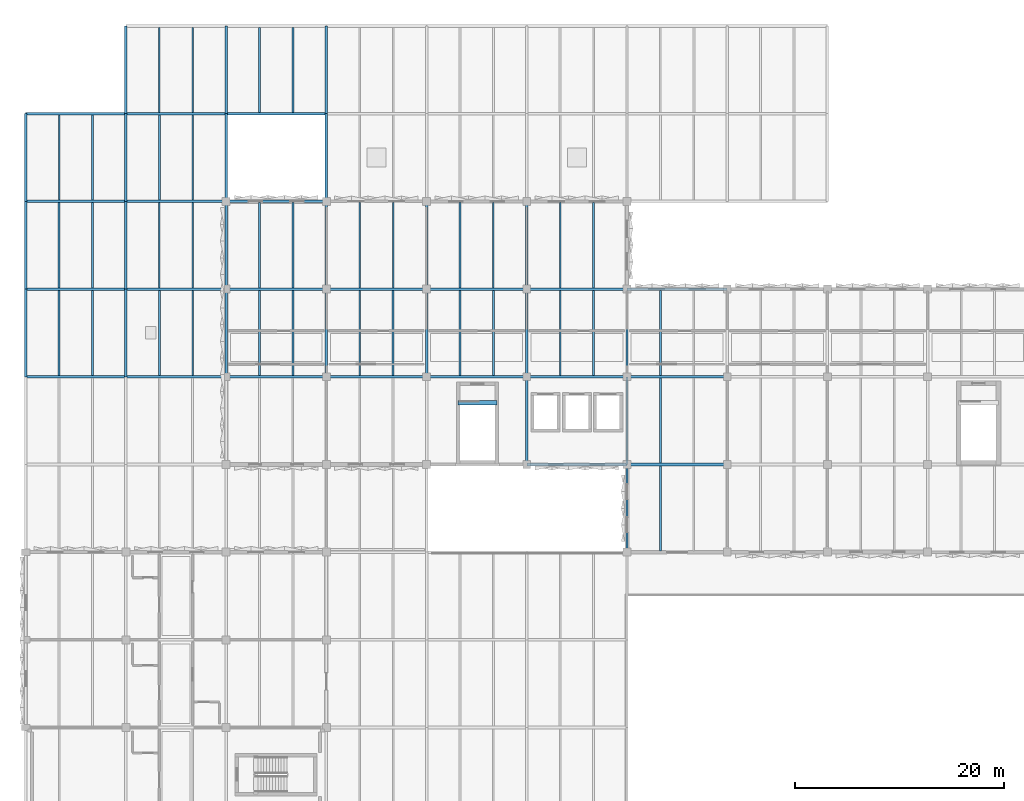
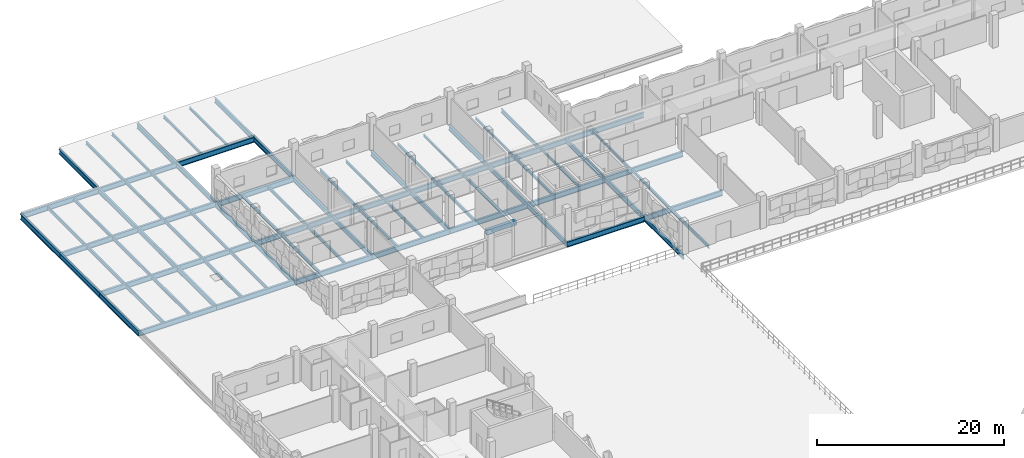
# One storey, part 12 of 86: 81 beams.
"""IFC4 building model written with IfcOpenShell, lengths in metres."""

from ifc_helpers import new_model, si_unit, direction, frame, origin, origin_2d, place, context, subcontext, project, spatial, rectangle, i_section, extrude, material, material_profile, profile_set, type_object, element, save


model = new_model("IFC4")

# Units and contexts
model_context = context("Model", 3, precision=1e-05, world=origin(), true_north=direction((0.0, 1.0)))
body_context = subcontext(model_context, "Body", "Model", "MODEL_VIEW")
ifc_project = project(units=[si_unit("LENGTHUNIT", "METRE"), si_unit("AREAUNIT", "SQUARE_METRE"), si_unit("VOLUMEUNIT", "CUBIC_METRE"), si_unit("PLANEANGLEUNIT", "RADIAN"), si_unit("MASSUNIT", "GRAM", prefix="KILO")], contexts=[model_context])

# Site, building, storey
site_placement = place(None, origin())
site = spatial("IfcSite", under=ifc_project, at=site_placement, CompositionType="ELEMENT")
building_placement = place(site_placement, origin())
building = spatial("IfcBuilding", under=site, at=building_placement, Name="Oolite Switchyard Hospital", CompositionType="ELEMENT")
storey_placement = place(building_placement, frame((0.0, 0.0, 13.5)))
storey = spatial("IfcBuildingStorey", under=building, at=storey_placement, Name="L03", CompositionType="ELEMENT", Elevation=13.5)

# Beams
ifc_material_1 = material(Name="Concrete C40/50", Category="concrete")
ifc_material_profile_1 = material_profile(ifc_material_1, rectangle(XDim=0.39990234375, YDim=0.60009765625, at=origin_2d()), Name="RCB400X600")
ifc_profile_set_1 = profile_set([ifc_material_profile_1], Name="Concrete C40/50")
beam_type_1 = type_object("IfcBeamType", Name="BM-RC400X600", PredefinedType="BEAM", material=ifc_profile_set_1)
beam_1_placement = place(storey_placement, frame((41.425048828125, 98.31005859375, -0.300048828125), z_axis=(1.0, 0.0, 0.0), x_axis=(0.0, 1.0, 0.0)))
element("IfcBeam", 1, at=beam_1_placement, inside=storey, type_object=beam_type_1, Name="L03 ST-07 Stair Throat Trimmer Beam", PredefinedType="BEAM", context=body_context, shape_type="SweptSolid", body=[
    extrude(rectangle(XDim=0.39990234375, YDim=0.60009765625, at=origin_2d()), origin(), (0.0, 0.0, 1.0), 3.7099609375),
])
ifc_material_2 = material(Name="Steel ASTM A992 Grade 50", Category="steel")
ifc_material_profile_2 = material_profile(ifc_material_2, i_section(OverallWidth=0.1650390625, OverallDepth=0.31005859375, WebThickness=0.006103515625, FlangeThickness=0.010009765625, at=origin_2d()), Name="W12X26")
ifc_profile_set_2 = profile_set([ifc_material_profile_2], Name="Steel ASTM A992 Grade 50")
beam_type_2 = type_object("IfcBeamType", Name="BM-W12X26", PredefinedType="JOIST", material=ifc_profile_set_2)
beam_2_placement = place(storey_placement, frame((25.60009765625, 126.126953125, -0.375), z_axis=(0.0, 1.0, 0.0), x_axis=(-1.0, 0.0, 0.0)))
element("IfcBeam", 2, at=beam_2_placement, inside=storey, type_object=beam_type_2, Name="L03 Secondary Steel Joist 2455", PredefinedType="JOIST", context=body_context, shape_type="SweptSolid", body=[
    extrude(i_section(OverallWidth=0.1650390625, OverallDepth=0.31005859375, WebThickness=0.006103515625, FlangeThickness=0.010009765625, at=origin_2d()), origin(), (0.0, 0.0, 1.0), 8.14013671875),
])
for number, where, z_axis, x_axis, name in (
    (3, (44.800048828125, 109.326904296875, -0.47509765625), (0.0, 1.0, 0.0), (-1.0, 0.0, 0.0), "L03 Secondary Steel Joist 2495"),
    (4, (54.39990234375, 100.927001953125, -0.47509765625), (0.0, 1.0, 0.0), (-1.0, 0.0, 0.0), "L03 Secondary Steel Joist 2511"),
    (5, (51.199951171875, 109.326904296875, -0.47509765625), (0.0, 1.0, 0.0), (-1.0, 0.0, 0.0), "L03 Secondary Steel Joist 2512"),
    (6, (60.800048828125, 100.927001953125, -0.429931640625), (0.0, 1.0, 0.0), (-1.0, 0.0, 0.0), "L03 Secondary Steel Joist 2522"),
):
    element("IfcBeam", number, at=place(storey_placement, frame(where, z_axis=z_axis, x_axis=x_axis)), inside=storey, type_object=beam_type_2, Name=name, PredefinedType="JOIST", context=body_context, shape_type="SweptSolid", body=[
        extrude(i_section(OverallWidth=0.1650390625, OverallDepth=0.31005859375, WebThickness=0.006103515625, FlangeThickness=0.010009765625, at=origin_2d()), origin(), (0.0, 0.0, 1.0), 8.14599609375),
    ])
ifc_material_profile_3 = material_profile(ifc_material_2, i_section(OverallWidth=0.1708984375, OverallDepth=0.35107421875, WebThickness=0.007080078125, FlangeThickness=0.010009765625, at=origin_2d()), Name="W14X30")
ifc_profile_set_3 = profile_set([ifc_material_profile_3], Name="Steel ASTM A992 Grade 50")
beam_type_3 = type_object("IfcBeamType", Name="BM-W14X30", PredefinedType="JOIST", material=ifc_profile_set_3)
for number, where, z_axis, x_axis, name in (
    (7, (16.0, 126.126953125, -0.39599609375), (0.0, 1.0, 0.0), (-1.0, 0.0, 0.0), "L03 Secondary Steel Joist 2437"),
    (8, (22.39990234375, 126.126953125, -0.39599609375), (0.0, 1.0, 0.0), (-1.0, 0.0, 0.0), "L03 Secondary Steel Joist 2454"),
):
    element("IfcBeam", number, at=place(storey_placement, frame(where, z_axis=z_axis, x_axis=x_axis)), inside=storey, type_object=beam_type_3, Name=name, PredefinedType="JOIST", context=body_context, shape_type="SweptSolid", body=[
        extrude(i_section(OverallWidth=0.1708984375, OverallDepth=0.35107421875, WebThickness=0.007080078125, FlangeThickness=0.010009765625, at=origin_2d()), origin(), (0.0, 0.0, 1.0), 8.14013671875),
    ])
for number, where, z_axis, x_axis, name in (
    (9, (35.199951171875, 109.326904296875, -0.49609375), (0.0, 1.0, 0.0), (-1.0, 0.0, 0.0), "L03 Secondary Steel Joist 2475"),
    (10, (44.800048828125, 100.927001953125, -0.49609375), (0.0, 1.0, 0.0), (-1.0, 0.0, 0.0), "L03 Secondary Steel Joist 2493"),
    (11, (41.60009765625, 109.326904296875, -0.49609375), (0.0, 1.0, 0.0), (-1.0, 0.0, 0.0), "L03 Secondary Steel Joist 2494"),
    (12, (51.199951171875, 100.927001953125, -0.49609375), (0.0, 1.0, 0.0), (-1.0, 0.0, 0.0), "L03 Secondary Steel Joist 2510"),
    (13, (60.800048828125, 92.527099609375, -0.449951171875), (0.0, 1.0, 0.0), (-1.0, 0.0, 0.0), "L03 Secondary Steel Joist 2520"),
):
    element("IfcBeam", number, at=place(storey_placement, frame(where, z_axis=z_axis, x_axis=x_axis)), inside=storey, type_object=beam_type_3, Name=name, PredefinedType="JOIST", context=body_context, shape_type="SweptSolid", body=[
        extrude(i_section(OverallWidth=0.1708984375, OverallDepth=0.35107421875, WebThickness=0.007080078125, FlangeThickness=0.010009765625, at=origin_2d()), origin(), (0.0, 0.0, 1.0), 8.14599609375),
    ])
ifc_material_profile_4 = material_profile(ifc_material_2, i_section(OverallWidth=0.177978515625, OverallDepth=0.403076171875, WebThickness=0.008056640625, FlangeThickness=0.010986328125, at=origin_2d()), Name="W16X36")
ifc_profile_set_4 = profile_set([ifc_material_profile_4], Name="Steel ASTM A992 Grade 50")
beam_type_4 = type_object("IfcBeamType", Name="BM-W16X36", PredefinedType="JOIST", material=ifc_profile_set_4)
beam_3_placement = place(storey_placement, frame((16.0, 117.72705078125, -0.422119140625), z_axis=(0.0, 1.0, 0.0), x_axis=(-1.0, 0.0, 0.0)))
element("IfcBeam", 14, at=beam_3_placement, inside=storey, type_object=beam_type_4, Name="L03 Secondary Steel Joist 2435", PredefinedType="JOIST", context=body_context, shape_type="SweptSolid", body=[
    extrude(i_section(OverallWidth=0.177978515625, OverallDepth=0.403076171875, WebThickness=0.008056640625, FlangeThickness=0.010986328125, at=origin_2d()), origin(), (0.0, 0.0, 1.0), 8.14599609375),
])
beam_4_placement = place(storey_placement, frame((12.800048828125, 126.126953125, -0.422119140625), z_axis=(0.0, 1.0, 0.0), x_axis=(-1.0, 0.0, 0.0)))
element("IfcBeam", 15, at=beam_4_placement, inside=storey, type_object=beam_type_4, Name="L03 Secondary Steel Joist 2436", PredefinedType="JOIST", context=body_context, shape_type="SweptSolid", body=[
    extrude(i_section(OverallWidth=0.177978515625, OverallDepth=0.403076171875, WebThickness=0.008056640625, FlangeThickness=0.010986328125, at=origin_2d()), origin(), (0.0, 0.0, 1.0), 8.14013671875),
])
for number, where, z_axis, x_axis, name in (
    (16, (25.60009765625, 109.326904296875, -0.52197265625), (0.0, 1.0, 0.0), (-1.0, 0.0, 0.0), "L03 Secondary Steel Joist 2453"),
    (17, (35.199951171875, 100.927001953125, -0.52197265625), (0.0, 1.0, 0.0), (-1.0, 0.0, 0.0), "L03 Secondary Steel Joist 2473"),
    (18, (32.0, 109.326904296875, -0.52197265625), (0.0, 1.0, 0.0), (-1.0, 0.0, 0.0), "L03 Secondary Steel Joist 2474"),
    (19, (41.60009765625, 100.927001953125, -0.52197265625), (0.0, 1.0, 0.0), (-1.0, 0.0, 0.0), "L03 Secondary Steel Joist 2492"),
    (20, (60.800048828125, 84.126953125, -0.47607421875), (0.0, 1.0, 0.0), (-1.0, 0.0, 0.0), "L03 Secondary Steel Joist 2518"),
):
    element("IfcBeam", number, at=place(storey_placement, frame(where, z_axis=z_axis, x_axis=x_axis)), inside=storey, type_object=beam_type_4, Name=name, PredefinedType="JOIST", context=body_context, shape_type="SweptSolid", body=[
        extrude(i_section(OverallWidth=0.177978515625, OverallDepth=0.403076171875, WebThickness=0.008056640625, FlangeThickness=0.010986328125, at=origin_2d()), origin(), (0.0, 0.0, 1.0), 8.14599609375),
    ])
ifc_material_profile_5 = material_profile(ifc_material_2, i_section(OverallWidth=0.179931640625, OverallDepth=0.4130859375, WebThickness=0.010009765625, FlangeThickness=0.01611328125, at=origin_2d()), Name="W16X50")
ifc_profile_set_5 = profile_set([ifc_material_profile_5], Name="Steel ASTM A992 Grade 50")
beam_type_5 = type_object("IfcBeamType", Name="BM-W16X50", PredefinedType="JOIST", material=ifc_profile_set_5)
for number, where, z_axis, x_axis, name in (
    (21, (6.39990234375, 117.72705078125, -0.426025390625), (0.0, 1.0, 0.0), (-1.0, 0.0, 0.0), "L03 Secondary Steel Joist 2413"),
    (22, (16.0, 109.326904296875, -0.426025390625), (0.0, 1.0, 0.0), (-1.0, 0.0, 0.0), "L03 Secondary Steel Joist 2433"),
    (23, (12.800048828125, 117.72705078125, -0.426025390625), (0.0, 1.0, 0.0), (-1.0, 0.0, 0.0), "L03 Secondary Steel Joist 2434"),
    (24, (25.60009765625, 100.927001953125, -0.52587890625), (0.0, 1.0, 0.0), (-1.0, 0.0, 0.0), "L03 Secondary Steel Joist 2451"),
    (25, (22.39990234375, 109.326904296875, -0.52587890625), (0.0, 1.0, 0.0), (-1.0, 0.0, 0.0), "L03 Secondary Steel Joist 2452"),
    (26, (32.0, 100.927001953125, -0.52587890625), (0.0, 1.0, 0.0), (-1.0, 0.0, 0.0), "L03 Secondary Steel Joist 2472"),
):
    element("IfcBeam", number, at=place(storey_placement, frame(where, z_axis=z_axis, x_axis=x_axis)), inside=storey, type_object=beam_type_5, Name=name, PredefinedType="JOIST", context=body_context, shape_type="SweptSolid", body=[
        extrude(i_section(OverallWidth=0.179931640625, OverallDepth=0.4130859375, WebThickness=0.010009765625, FlangeThickness=0.01611328125, at=origin_2d()), origin(), (0.0, 0.0, 1.0), 8.14599609375),
    ])
ifc_material_profile_6 = material_profile(ifc_material_2, i_section(OverallWidth=0.153076171875, OverallDepth=0.455078125, WebThickness=0.008056640625, FlangeThickness=0.012939453125, at=origin_2d()), Name="W18X40")
ifc_profile_set_6 = profile_set([ifc_material_profile_6], Name="Steel ASTM A992 Grade 50")
beam_type_6 = type_object("IfcBeamType", Name="BM-W18X40", PredefinedType="JOIST", material=ifc_profile_set_6)
for number, where, z_axis, x_axis, name in (
    (27, (6.39990234375, 109.326904296875, -0.447998046875), (0.0, 1.0, 0.0), (-1.0, 0.0, 0.0), "L03 Secondary Steel Joist 2411"),
    (28, (3.199951171875, 117.72705078125, -0.447998046875), (0.0, 1.0, 0.0), (-1.0, 0.0, 0.0), "L03 Secondary Steel Joist 2412"),
    (29, (16.0, 100.927001953125, -0.447998046875), (0.0, 1.0, 0.0), (-1.0, 0.0, 0.0), "L03 Secondary Steel Joist 2431"),
    (30, (12.800048828125, 109.326904296875, -0.447998046875), (0.0, 1.0, 0.0), (-1.0, 0.0, 0.0), "L03 Secondary Steel Joist 2432"),
    (31, (22.39990234375, 100.927001953125, -0.548095703125), (0.0, 1.0, 0.0), (-1.0, 0.0, 0.0), "L03 Secondary Steel Joist 2450"),
):
    element("IfcBeam", number, at=place(storey_placement, frame(where, z_axis=z_axis, x_axis=x_axis)), inside=storey, type_object=beam_type_6, Name=name, PredefinedType="JOIST", context=body_context, shape_type="SweptSolid", body=[
        extrude(i_section(OverallWidth=0.153076171875, OverallDepth=0.455078125, WebThickness=0.008056640625, FlangeThickness=0.012939453125, at=origin_2d()), origin(), (0.0, 0.0, 1.0), 8.14599609375),
    ])
ifc_material_profile_7 = material_profile(ifc_material_2, i_section(OverallWidth=0.19091796875, OverallDepth=0.4599609375, WebThickness=0.010009765625, FlangeThickness=0.01611328125, at=origin_2d()), Name="W18X55")
ifc_profile_set_7 = profile_set([ifc_material_profile_7], Name="Steel ASTM A992 Grade 50")
beam_type_7 = type_object("IfcBeamType", Name="BM-W18X55", PredefinedType="JOIST", material=ifc_profile_set_7)
for number, where, z_axis, x_axis, name in (
    (32, (6.39990234375, 100.927001953125, -0.449951171875), (0.0, 1.0, 0.0), (-1.0, 0.0, 0.0), "L03 Secondary Steel Joist 2409"),
    (33, (3.199951171875, 109.326904296875, -0.449951171875), (0.0, 1.0, 0.0), (-1.0, 0.0, 0.0), "L03 Secondary Steel Joist 2410"),
    (34, (12.800048828125, 100.927001953125, -0.449951171875), (0.0, 1.0, 0.0), (-1.0, 0.0, 0.0), "L03 Secondary Steel Joist 2430"),
):
    element("IfcBeam", number, at=place(storey_placement, frame(where, z_axis=z_axis, x_axis=x_axis)), inside=storey, type_object=beam_type_7, Name=name, PredefinedType="JOIST", context=body_context, shape_type="SweptSolid", body=[
        extrude(i_section(OverallWidth=0.19091796875, OverallDepth=0.4599609375, WebThickness=0.010009765625, FlangeThickness=0.01611328125, at=origin_2d()), origin(), (0.0, 0.0, 1.0), 8.14599609375),
    ])
ifc_material_profile_8 = material_profile(ifc_material_2, i_section(OverallWidth=0.166015625, OverallDepth=0.529052734375, WebThickness=0.010009765625, FlangeThickness=0.013916015625, at=origin_2d()), Name="W21X50")
ifc_profile_set_8 = profile_set([ifc_material_profile_8], Name="Steel ASTM A992 Grade 50")
beam_type_8 = type_object("IfcBeamType", Name="BM-W21X50", PredefinedType="JOIST", material=ifc_profile_set_8)
for number, where, z_axis, x_axis, name in (
    (35, (3.199951171875, 100.927001953125, -0.48388671875), (0.0, 1.0, 0.0), (-1.0, 0.0, 0.0), "L03 Secondary Steel Joist 2408"),
    (36, (54.39990234375, 109.326904296875, -0.583984375), (0.0, 1.0, 0.0), (-1.0, 0.0, 0.0), "L03 Secondary Steel Joist 2513"),
):
    element("IfcBeam", number, at=place(storey_placement, frame(where, z_axis=z_axis, x_axis=x_axis)), inside=storey, type_object=beam_type_8, Name=name, PredefinedType="JOIST", context=body_context, shape_type="SweptSolid", body=[
        extrude(i_section(OverallWidth=0.166015625, OverallDepth=0.529052734375, WebThickness=0.010009765625, FlangeThickness=0.013916015625, at=origin_2d()), origin(), (0.0, 0.0, 1.0), 8.14599609375),
    ])
ifc_material_profile_9 = material_profile(ifc_material_2, i_section(OverallWidth=0.22900390625, OverallDepth=0.612060546875, WebThickness=0.011962890625, FlangeThickness=0.02001953125, at=origin_2d()), Name="W24X84")
ifc_profile_set_9 = profile_set([ifc_material_profile_9], Name="Steel ASTM A992 Grade 50")
beam_type_9 = type_object("IfcBeamType", Name="BM-W24X84", PredefinedType="BEAM", material=ifc_profile_set_9)
beam_5_placement = place(storey_placement, frame((9.60009765625, 100.800048828125, -0.52587890625), z_axis=(0.0, 1.0, 0.0), x_axis=(-1.0, 0.0, 0.0)))
element("IfcBeam", 37, at=beam_5_placement, inside=storey, type_object=beam_type_9, Name="L03 Y-Girder 2183", PredefinedType="BEAM", context=body_context, shape_type="SweptSolid", body=[
    extrude(i_section(OverallWidth=0.22900390625, OverallDepth=0.612060546875, WebThickness=0.011962890625, FlangeThickness=0.02001953125, at=origin_2d()), origin(), (0.0, 0.0, 1.0), 8.39990234375),
])
beam_6_placement = place(storey_placement, frame((9.60009765625, 109.199951171875, -0.52587890625), z_axis=(0.0, 1.0, 0.0), x_axis=(-1.0, 0.0, 0.0)))
element("IfcBeam", 38, at=beam_6_placement, inside=storey, type_object=beam_type_9, Name="L03 Y-Girder 2184", PredefinedType="BEAM", context=body_context, shape_type="SweptSolid", body=[
    extrude(i_section(OverallWidth=0.22900390625, OverallDepth=0.612060546875, WebThickness=0.011962890625, FlangeThickness=0.02001953125, at=origin_2d()), origin(), (0.0, 0.0, 1.0), 8.400146484375),
])
for number, where, z_axis, x_axis, name in (
    (39, (9.60009765625, 117.60009765625, -0.52587890625), (0.0, 1.0, 0.0), (-1.0, 0.0, 0.0), "L03 Y-Girder 2185"),
    (40, (9.60009765625, 126.0, -0.52587890625), (0.0, 1.0, 0.0), (-1.0, 0.0, 0.0), "L03 Y-Girder 2186"),
    (41, (19.199951171875, 100.800048828125, -0.6259765625), (0.0, 1.0, 0.0), (-1.0, 0.0, 0.0), "L03 Y-Girder 2195"),
):
    element("IfcBeam", number, at=place(storey_placement, frame(where, z_axis=z_axis, x_axis=x_axis)), inside=storey, type_object=beam_type_9, Name=name, PredefinedType="BEAM", context=body_context, shape_type="SweptSolid", body=[
        extrude(i_section(OverallWidth=0.22900390625, OverallDepth=0.612060546875, WebThickness=0.011962890625, FlangeThickness=0.02001953125, at=origin_2d()), origin(), (0.0, 0.0, 1.0), 8.39990234375),
    ])
beam_7_placement = place(storey_placement, frame((19.199951171875, 109.199951171875, -0.6259765625), z_axis=(0.0, 1.0, 0.0), x_axis=(-1.0, 0.0, 0.0)))
element("IfcBeam", 42, at=beam_7_placement, inside=storey, type_object=beam_type_9, Name="L03 Y-Girder 2196", PredefinedType="BEAM", context=body_context, shape_type="SweptSolid", body=[
    extrude(i_section(OverallWidth=0.22900390625, OverallDepth=0.612060546875, WebThickness=0.011962890625, FlangeThickness=0.02001953125, at=origin_2d()), origin(), (0.0, 0.0, 1.0), 8.400146484375),
])
for number, where, z_axis, x_axis, name in (
    (43, (19.199951171875, 117.60009765625, -0.52587890625), (0.0, 1.0, 0.0), (-1.0, 0.0, 0.0), "L03 Y-Girder 2197"),
    (44, (19.199951171875, 126.0, -0.52587890625), (0.0, 1.0, 0.0), (-1.0, 0.0, 0.0), "L03 Y-Girder 2198"),
    (45, (28.800048828125, 100.800048828125, -0.6259765625), (0.0, 1.0, 0.0), (-1.0, 0.0, 0.0), "L03 Y-Girder 2207"),
):
    element("IfcBeam", number, at=place(storey_placement, frame(where, z_axis=z_axis, x_axis=x_axis)), inside=storey, type_object=beam_type_9, Name=name, PredefinedType="BEAM", context=body_context, shape_type="SweptSolid", body=[
        extrude(i_section(OverallWidth=0.22900390625, OverallDepth=0.612060546875, WebThickness=0.011962890625, FlangeThickness=0.02001953125, at=origin_2d()), origin(), (0.0, 0.0, 1.0), 8.39990234375),
    ])
beam_8_placement = place(storey_placement, frame((28.800048828125, 109.199951171875, -0.6259765625), z_axis=(0.0, 1.0, 0.0), x_axis=(-1.0, 0.0, 0.0)))
element("IfcBeam", 46, at=beam_8_placement, inside=storey, type_object=beam_type_9, Name="L03 Y-Girder 2208", PredefinedType="BEAM", context=body_context, shape_type="SweptSolid", body=[
    extrude(i_section(OverallWidth=0.22900390625, OverallDepth=0.612060546875, WebThickness=0.011962890625, FlangeThickness=0.02001953125, at=origin_2d()), origin(), (0.0, 0.0, 1.0), 8.400146484375),
])
for number, where, z_axis, x_axis, name in (
    (47, (28.800048828125, 117.60009765625, -0.52587890625), (0.0, 1.0, 0.0), (-1.0, 0.0, 0.0), "L03 Y-Girder 2209"),
    (48, (28.800048828125, 126.0, -0.52587890625), (0.0, 1.0, 0.0), (-1.0, 0.0, 0.0), "L03 Y-Girder 2210"),
    (49, (38.39990234375, 100.800048828125, -0.6259765625), (0.0, 1.0, 0.0), (-1.0, 0.0, 0.0), "L03 Y-Girder 2219"),
):
    element("IfcBeam", number, at=place(storey_placement, frame(where, z_axis=z_axis, x_axis=x_axis)), inside=storey, type_object=beam_type_9, Name=name, PredefinedType="BEAM", context=body_context, shape_type="SweptSolid", body=[
        extrude(i_section(OverallWidth=0.22900390625, OverallDepth=0.612060546875, WebThickness=0.011962890625, FlangeThickness=0.02001953125, at=origin_2d()), origin(), (0.0, 0.0, 1.0), 8.39990234375),
    ])
for number, where, z_axis, x_axis, name in (
    (50, (38.39990234375, 109.199951171875, -0.6259765625), (0.0, 1.0, 0.0), (-1.0, 0.0, 0.0), "L03 Y-Girder 2220"),
    (51, (48.0, 92.39990234375, -0.6259765625), (0.0, 1.0, 0.0), (-1.0, 0.0, 0.0), "L03 Y-Girder 2229"),
):
    element("IfcBeam", number, at=place(storey_placement, frame(where, z_axis=z_axis, x_axis=x_axis)), inside=storey, type_object=beam_type_9, Name=name, PredefinedType="BEAM", context=body_context, shape_type="SweptSolid", body=[
        extrude(i_section(OverallWidth=0.22900390625, OverallDepth=0.612060546875, WebThickness=0.011962890625, FlangeThickness=0.02001953125, at=origin_2d()), origin(), (0.0, 0.0, 1.0), 8.400146484375),
    ])
beam_9_placement = place(storey_placement, frame((48.0, 100.800048828125, -0.6259765625), z_axis=(0.0, 1.0, 0.0), x_axis=(-1.0, 0.0, 0.0)))
element("IfcBeam", 52, at=beam_9_placement, inside=storey, type_object=beam_type_9, Name="L03 Y-Girder 2230", PredefinedType="BEAM", context=body_context, shape_type="SweptSolid", body=[
    extrude(i_section(OverallWidth=0.22900390625, OverallDepth=0.612060546875, WebThickness=0.011962890625, FlangeThickness=0.02001953125, at=origin_2d()), origin(), (0.0, 0.0, 1.0), 8.39990234375),
])
beam_10_placement = place(storey_placement, frame((48.0, 109.199951171875, -0.6259765625), z_axis=(0.0, 1.0, 0.0), x_axis=(-1.0, 0.0, 0.0)))
element("IfcBeam", 53, at=beam_10_placement, inside=storey, type_object=beam_type_9, Name="L03 Y-Girder 2231", PredefinedType="BEAM", context=body_context, shape_type="SweptSolid", body=[
    extrude(i_section(OverallWidth=0.22900390625, OverallDepth=0.612060546875, WebThickness=0.011962890625, FlangeThickness=0.02001953125, at=origin_2d()), origin(), (0.0, 0.0, 1.0), 8.400146484375),
])
beam_11_placement = place(storey_placement, frame((57.60009765625, 84.0, -0.5810546875), z_axis=(0.0, 1.0, 0.0), x_axis=(-1.0, 0.0, 0.0)))
element("IfcBeam", 54, at=beam_11_placement, inside=storey, type_object=beam_type_9, Name="L03 Y-Girder 2240", PredefinedType="BEAM", context=body_context, shape_type="SweptSolid", body=[
    extrude(i_section(OverallWidth=0.22900390625, OverallDepth=0.612060546875, WebThickness=0.011962890625, FlangeThickness=0.02001953125, at=origin_2d()), origin(), (0.0, 0.0, 1.0), 8.39990234375),
])
beam_12_placement = place(storey_placement, frame((57.60009765625, 92.39990234375, -0.6259765625), z_axis=(0.0, 1.0, 0.0), x_axis=(-1.0, 0.0, 0.0)))
element("IfcBeam", 55, at=beam_12_placement, inside=storey, type_object=beam_type_9, Name="L03 Y-Girder 2241", PredefinedType="BEAM", context=body_context, shape_type="SweptSolid", body=[
    extrude(i_section(OverallWidth=0.22900390625, OverallDepth=0.612060546875, WebThickness=0.011962890625, FlangeThickness=0.02001953125, at=origin_2d()), origin(), (0.0, 0.0, 1.0), 8.400146484375),
])
beam_13_placement = place(storey_placement, frame((57.60009765625, 100.800048828125, -0.6259765625), z_axis=(0.0, 1.0, 0.0), x_axis=(-1.0, 0.0, 0.0)))
element("IfcBeam", 56, at=beam_13_placement, inside=storey, type_object=beam_type_9, Name="L03 Y-Girder 2242", PredefinedType="BEAM", context=body_context, shape_type="SweptSolid", body=[
    extrude(i_section(OverallWidth=0.22900390625, OverallDepth=0.612060546875, WebThickness=0.011962890625, FlangeThickness=0.02001953125, at=origin_2d()), origin(), (0.0, 0.0, 1.0), 8.39990234375),
])
ifc_material_profile_10 = material_profile(ifc_material_2, i_section(OverallWidth=0.25390625, OverallDepth=0.68408203125, WebThickness=0.011962890625, FlangeThickness=0.01904296875, at=origin_2d()), Name="W27X94")
ifc_profile_set_10 = profile_set([ifc_material_profile_10], Name="Steel ASTM A992 Grade 50")
beam_type_10 = type_object("IfcBeamType", Name="BM-W27X94", PredefinedType="BEAM", material=ifc_profile_set_10)
beam_14_placement = place(storey_placement, frame((48.0, 92.39990234375, -0.662109375), z_axis=(1.0, 0.0, 0.0), x_axis=(0.0, 1.0, 0.0)))
element("IfcBeam", 57, at=beam_14_placement, inside=storey, type_object=beam_type_10, Name="L03 X-Girder 2061", PredefinedType="BEAM", context=body_context, shape_type="SweptSolid", body=[
    extrude(i_section(OverallWidth=0.25390625, OverallDepth=0.68408203125, WebThickness=0.011962890625, FlangeThickness=0.01904296875, at=origin_2d()), origin(), (0.0, 0.0, 1.0), 9.60009765625),
])
beam_15_placement = place(storey_placement, frame((57.60009765625, 92.39990234375, -0.616943359375), z_axis=(1.0, 0.0, 0.0), x_axis=(0.0, 1.0, 0.0)))
element("IfcBeam", 58, at=beam_15_placement, inside=storey, type_object=beam_type_10, Name="L03 X-Girder 2062", PredefinedType="BEAM", context=body_context, shape_type="SweptSolid", body=[
    extrude(i_section(OverallWidth=0.25390625, OverallDepth=0.68408203125, WebThickness=0.011962890625, FlangeThickness=0.01904296875, at=origin_2d()), origin(), (0.0, 0.0, 1.0), 9.599853515625),
])
beam_16_placement = place(storey_placement, frame((0.0, 100.800048828125, -0.56201171875), z_axis=(1.0, 0.0, 0.0), x_axis=(0.0, 1.0, 0.0)))
element("IfcBeam", 59, at=beam_16_placement, inside=storey, type_object=beam_type_10, Name="L03 X-Girder 2074", PredefinedType="BEAM", context=body_context, shape_type="SweptSolid", body=[
    extrude(i_section(OverallWidth=0.25390625, OverallDepth=0.68408203125, WebThickness=0.011962890625, FlangeThickness=0.01904296875, at=origin_2d()), origin(), (0.0, 0.0, 1.0), 9.60009765625),
])
beam_17_placement = place(storey_placement, frame((9.60009765625, 100.800048828125, -0.56201171875), z_axis=(1.0, 0.0, 0.0), x_axis=(0.0, 1.0, 0.0)))
element("IfcBeam", 60, at=beam_17_placement, inside=storey, type_object=beam_type_10, Name="L03 X-Girder 2075", PredefinedType="BEAM", context=body_context, shape_type="SweptSolid", body=[
    extrude(i_section(OverallWidth=0.25390625, OverallDepth=0.68408203125, WebThickness=0.011962890625, FlangeThickness=0.01904296875, at=origin_2d()), origin(), (0.0, 0.0, 1.0), 9.599853515625),
])
beam_18_placement = place(storey_placement, frame((19.199951171875, 100.800048828125, -0.662109375), z_axis=(1.0, 0.0, 0.0), x_axis=(0.0, 1.0, 0.0)))
element("IfcBeam", 61, at=beam_18_placement, inside=storey, type_object=beam_type_10, Name="L03 X-Girder 2076", PredefinedType="BEAM", context=body_context, shape_type="SweptSolid", body=[
    extrude(i_section(OverallWidth=0.25390625, OverallDepth=0.68408203125, WebThickness=0.011962890625, FlangeThickness=0.01904296875, at=origin_2d()), origin(), (0.0, 0.0, 1.0), 9.60009765625),
])
beam_19_placement = place(storey_placement, frame((28.800048828125, 100.800048828125, -0.662109375), z_axis=(1.0, 0.0, 0.0), x_axis=(0.0, 1.0, 0.0)))
element("IfcBeam", 62, at=beam_19_placement, inside=storey, type_object=beam_type_10, Name="L03 X-Girder 2077", PredefinedType="BEAM", context=body_context, shape_type="SweptSolid", body=[
    extrude(i_section(OverallWidth=0.25390625, OverallDepth=0.68408203125, WebThickness=0.011962890625, FlangeThickness=0.01904296875, at=origin_2d()), origin(), (0.0, 0.0, 1.0), 9.599853515625),
])
for number, where, z_axis, x_axis, name in (
    (63, (38.39990234375, 100.800048828125, -0.662109375), (1.0, 0.0, 0.0), (0.0, 1.0, 0.0), "L03 X-Girder 2078"),
    (64, (48.0, 100.800048828125, -0.662109375), (1.0, 0.0, 0.0), (0.0, 1.0, 0.0), "L03 X-Girder 2079"),
):
    element("IfcBeam", number, at=place(storey_placement, frame(where, z_axis=z_axis, x_axis=x_axis)), inside=storey, type_object=beam_type_10, Name=name, PredefinedType="BEAM", context=body_context, shape_type="SweptSolid", body=[
        extrude(i_section(OverallWidth=0.25390625, OverallDepth=0.68408203125, WebThickness=0.011962890625, FlangeThickness=0.01904296875, at=origin_2d()), origin(), (0.0, 0.0, 1.0), 9.60009765625),
    ])
beam_20_placement = place(storey_placement, frame((57.60009765625, 100.800048828125, -0.616943359375), z_axis=(1.0, 0.0, 0.0), x_axis=(0.0, 1.0, 0.0)))
element("IfcBeam", 65, at=beam_20_placement, inside=storey, type_object=beam_type_10, Name="L03 X-Girder 2080", PredefinedType="BEAM", context=body_context, shape_type="SweptSolid", body=[
    extrude(i_section(OverallWidth=0.25390625, OverallDepth=0.68408203125, WebThickness=0.011962890625, FlangeThickness=0.01904296875, at=origin_2d()), origin(), (0.0, 0.0, 1.0), 9.599853515625),
])
beam_21_placement = place(storey_placement, frame((0.0, 109.199951171875, -0.56201171875), z_axis=(1.0, 0.0, 0.0), x_axis=(0.0, 1.0, 0.0)))
element("IfcBeam", 66, at=beam_21_placement, inside=storey, type_object=beam_type_10, Name="L03 X-Girder 2096", PredefinedType="BEAM", context=body_context, shape_type="SweptSolid", body=[
    extrude(i_section(OverallWidth=0.25390625, OverallDepth=0.68408203125, WebThickness=0.011962890625, FlangeThickness=0.01904296875, at=origin_2d()), origin(), (0.0, 0.0, 1.0), 9.60009765625),
])
beam_22_placement = place(storey_placement, frame((9.60009765625, 109.199951171875, -0.56201171875), z_axis=(1.0, 0.0, 0.0), x_axis=(0.0, 1.0, 0.0)))
element("IfcBeam", 67, at=beam_22_placement, inside=storey, type_object=beam_type_10, Name="L03 X-Girder 2097", PredefinedType="BEAM", context=body_context, shape_type="SweptSolid", body=[
    extrude(i_section(OverallWidth=0.25390625, OverallDepth=0.68408203125, WebThickness=0.011962890625, FlangeThickness=0.01904296875, at=origin_2d()), origin(), (0.0, 0.0, 1.0), 9.599853515625),
])
beam_23_placement = place(storey_placement, frame((19.199951171875, 109.199951171875, -0.662109375), z_axis=(1.0, 0.0, 0.0), x_axis=(0.0, 1.0, 0.0)))
element("IfcBeam", 68, at=beam_23_placement, inside=storey, type_object=beam_type_10, Name="L03 X-Girder 2098", PredefinedType="BEAM", context=body_context, shape_type="SweptSolid", body=[
    extrude(i_section(OverallWidth=0.25390625, OverallDepth=0.68408203125, WebThickness=0.011962890625, FlangeThickness=0.01904296875, at=origin_2d()), origin(), (0.0, 0.0, 1.0), 9.60009765625),
])
beam_24_placement = place(storey_placement, frame((28.800048828125, 109.199951171875, -0.662109375), z_axis=(1.0, 0.0, 0.0), x_axis=(0.0, 1.0, 0.0)))
element("IfcBeam", 69, at=beam_24_placement, inside=storey, type_object=beam_type_10, Name="L03 X-Girder 2099", PredefinedType="BEAM", context=body_context, shape_type="SweptSolid", body=[
    extrude(i_section(OverallWidth=0.25390625, OverallDepth=0.68408203125, WebThickness=0.011962890625, FlangeThickness=0.01904296875, at=origin_2d()), origin(), (0.0, 0.0, 1.0), 9.599853515625),
])
for number, where, z_axis, x_axis, name in (
    (70, (38.39990234375, 109.199951171875, -0.662109375), (1.0, 0.0, 0.0), (0.0, 1.0, 0.0), "L03 X-Girder 2100"),
    (71, (48.0, 109.199951171875, -0.662109375), (1.0, 0.0, 0.0), (0.0, 1.0, 0.0), "L03 X-Girder 2101"),
):
    element("IfcBeam", number, at=place(storey_placement, frame(where, z_axis=z_axis, x_axis=x_axis)), inside=storey, type_object=beam_type_10, Name=name, PredefinedType="BEAM", context=body_context, shape_type="SweptSolid", body=[
        extrude(i_section(OverallWidth=0.25390625, OverallDepth=0.68408203125, WebThickness=0.011962890625, FlangeThickness=0.01904296875, at=origin_2d()), origin(), (0.0, 0.0, 1.0), 9.60009765625),
    ])
beam_25_placement = place(storey_placement, frame((57.60009765625, 109.199951171875, -0.616943359375), z_axis=(1.0, 0.0, 0.0), x_axis=(0.0, 1.0, 0.0)))
element("IfcBeam", 72, at=beam_25_placement, inside=storey, type_object=beam_type_10, Name="L03 X-Girder 2102", PredefinedType="BEAM", context=body_context, shape_type="SweptSolid", body=[
    extrude(i_section(OverallWidth=0.25390625, OverallDepth=0.68408203125, WebThickness=0.011962890625, FlangeThickness=0.01904296875, at=origin_2d()), origin(), (0.0, 0.0, 1.0), 9.599853515625),
])
beam_26_placement = place(storey_placement, frame((0.0, 117.60009765625, -0.56201171875), z_axis=(1.0, 0.0, 0.0), x_axis=(0.0, 1.0, 0.0)))
element("IfcBeam", 73, at=beam_26_placement, inside=storey, type_object=beam_type_10, Name="L03 X-Girder 2117", PredefinedType="BEAM", context=body_context, shape_type="SweptSolid", body=[
    extrude(i_section(OverallWidth=0.25390625, OverallDepth=0.68408203125, WebThickness=0.011962890625, FlangeThickness=0.01904296875, at=origin_2d()), origin(), (0.0, 0.0, 1.0), 9.60009765625),
])
beam_27_placement = place(storey_placement, frame((9.60009765625, 117.60009765625, -0.56201171875), z_axis=(1.0, 0.0, 0.0), x_axis=(0.0, 1.0, 0.0)))
element("IfcBeam", 74, at=beam_27_placement, inside=storey, type_object=beam_type_10, Name="L03 X-Girder 2118", PredefinedType="BEAM", context=body_context, shape_type="SweptSolid", body=[
    extrude(i_section(OverallWidth=0.25390625, OverallDepth=0.68408203125, WebThickness=0.011962890625, FlangeThickness=0.01904296875, at=origin_2d()), origin(), (0.0, 0.0, 1.0), 9.599853515625),
])
for number, where, z_axis, x_axis, name in (
    (75, (19.199951171875, 117.60009765625, -0.662109375), (1.0, 0.0, 0.0), (0.0, 1.0, 0.0), "L03 X-Girder 2119"),
    (76, (0.0, 126.0, -0.56201171875), (1.0, 0.0, 0.0), (0.0, 1.0, 0.0), "L03 X-Girder 2133"),
):
    element("IfcBeam", number, at=place(storey_placement, frame(where, z_axis=z_axis, x_axis=x_axis)), inside=storey, type_object=beam_type_10, Name=name, PredefinedType="BEAM", context=body_context, shape_type="SweptSolid", body=[
        extrude(i_section(OverallWidth=0.25390625, OverallDepth=0.68408203125, WebThickness=0.011962890625, FlangeThickness=0.01904296875, at=origin_2d()), origin(), (0.0, 0.0, 1.0), 9.60009765625),
    ])
beam_28_placement = place(storey_placement, frame((9.60009765625, 126.0, -0.56201171875), z_axis=(1.0, 0.0, 0.0), x_axis=(0.0, 1.0, 0.0)))
element("IfcBeam", 77, at=beam_28_placement, inside=storey, type_object=beam_type_10, Name="L03 X-Girder 2134", PredefinedType="BEAM", context=body_context, shape_type="SweptSolid", body=[
    extrude(i_section(OverallWidth=0.25390625, OverallDepth=0.68408203125, WebThickness=0.011962890625, FlangeThickness=0.01904296875, at=origin_2d()), origin(), (0.0, 0.0, 1.0), 9.599853515625),
])
beam_29_placement = place(storey_placement, frame((19.199951171875, 126.0, -0.56201171875), z_axis=(1.0, 0.0, 0.0), x_axis=(0.0, 1.0, 0.0)))
element("IfcBeam", 78, at=beam_29_placement, inside=storey, type_object=beam_type_10, Name="L03 X-Girder 2135", PredefinedType="BEAM", context=body_context, shape_type="SweptSolid", body=[
    extrude(i_section(OverallWidth=0.25390625, OverallDepth=0.68408203125, WebThickness=0.011962890625, FlangeThickness=0.01904296875, at=origin_2d()), origin(), (0.0, 0.0, 1.0), 9.60009765625),
])
beam_30_placement = place(storey_placement, frame((0.0, 100.800048828125, -0.56201171875), z_axis=(0.0, 1.0, 0.0), x_axis=(-1.0, 0.0, 0.0)))
element("IfcBeam", 79, at=beam_30_placement, inside=storey, type_object=beam_type_10, Name="L03 Y-Girder 2172", PredefinedType="BEAM", context=body_context, shape_type="SweptSolid", body=[
    extrude(i_section(OverallWidth=0.25390625, OverallDepth=0.68408203125, WebThickness=0.011962890625, FlangeThickness=0.01904296875, at=origin_2d()), origin(), (0.0, 0.0, 1.0), 8.39990234375),
])
beam_31_placement = place(storey_placement, frame((0.0, 109.199951171875, -0.56201171875), z_axis=(0.0, 1.0, 0.0), x_axis=(-1.0, 0.0, 0.0)))
element("IfcBeam", 80, at=beam_31_placement, inside=storey, type_object=beam_type_10, Name="L03 Y-Girder 2173", PredefinedType="BEAM", context=body_context, shape_type="SweptSolid", body=[
    extrude(i_section(OverallWidth=0.25390625, OverallDepth=0.68408203125, WebThickness=0.011962890625, FlangeThickness=0.01904296875, at=origin_2d()), origin(), (0.0, 0.0, 1.0), 8.400146484375),
])
beam_32_placement = place(storey_placement, frame((0.0, 117.60009765625, -0.56201171875), z_axis=(0.0, 1.0, 0.0), x_axis=(-1.0, 0.0, 0.0)))
element("IfcBeam", 81, at=beam_32_placement, inside=storey, type_object=beam_type_10, Name="L03 Y-Girder 2174", PredefinedType="BEAM", context=body_context, shape_type="SweptSolid", body=[
    extrude(i_section(OverallWidth=0.25390625, OverallDepth=0.68408203125, WebThickness=0.011962890625, FlangeThickness=0.01904296875, at=origin_2d()), origin(), (0.0, 0.0, 1.0), 8.39990234375),
])

save(model, "model.ifc")
